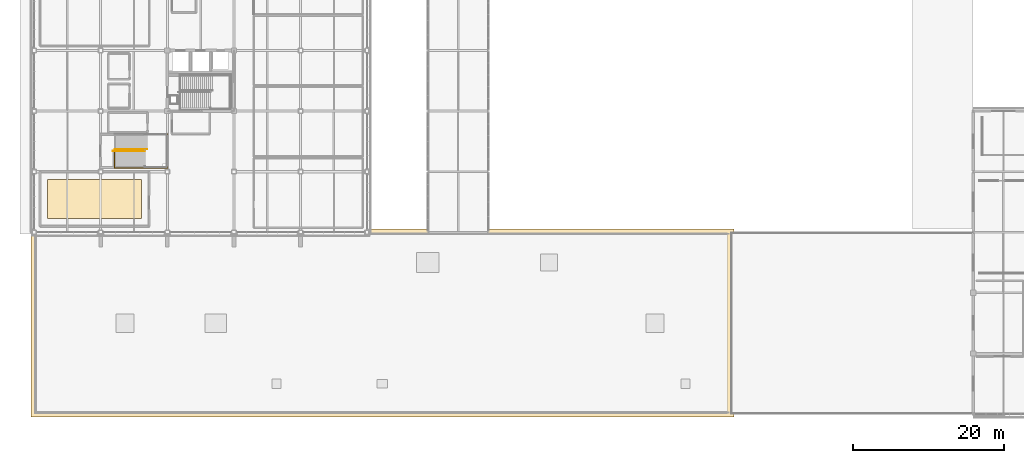
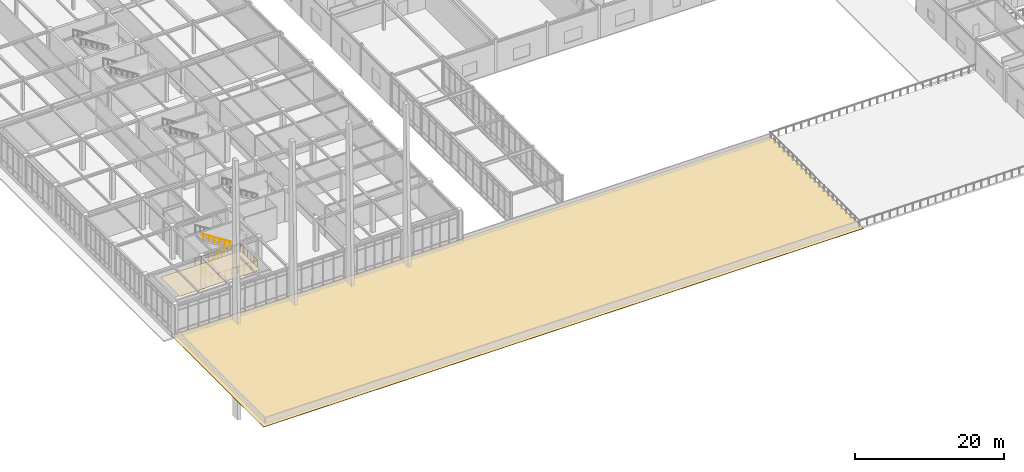
# One storey, part 97 of 108: 3 railings, 2 coverings.
"""IFC4 building model written with IfcOpenShell, lengths in metres."""

from ifc_helpers import new_model, si_unit, direction, frame, origin, origin_2d, place, context, subcontext, project, spatial, rectangle, circle, extrude, material, layer, layer_set, type_object, element, save


model = new_model("IFC4")

# Units and contexts
model_context = context("Model", 3, precision=1e-05, world=origin(), true_north=direction((0.0, 1.0)))
body_context = subcontext(model_context, "Body", "Model", "MODEL_VIEW")
ifc_project = project(units=[si_unit("LENGTHUNIT", "METRE"), si_unit("AREAUNIT", "SQUARE_METRE"), si_unit("VOLUMEUNIT", "CUBIC_METRE"), si_unit("PLANEANGLEUNIT", "RADIAN"), si_unit("MASSUNIT", "GRAM", prefix="KILO")], contexts=[model_context])

# Site, building, storey
site_placement = place(None, origin())
site = spatial("IfcSite", under=ifc_project, at=site_placement, CompositionType="ELEMENT")
building_placement = place(site_placement, origin())
building = spatial("IfcBuilding", under=site, at=building_placement, Name="Zhaolan Boulevard Law Courts", CompositionType="ELEMENT")
storey_placement = place(building_placement, frame((0.0, 0.0, 10.800048828125)))
storey = spatial("IfcBuildingStorey", under=building, at=storey_placement, Name="L02", CompositionType="ELEMENT", Elevation=10.800048828125)

# Covering
ifc_material_1 = material(Name="Perforated acoustic gypsum and timber-slat ceiling", Category="wood")
ifc_layer_1 = layer(ifc_material_1, 0.02490234375)
ifc_layer_set_1 = layer_set([ifc_layer_1])
covering_type_1 = type_object("IfcCoveringType", Name="ACOUSTIC CEILING 25", PredefinedType="CEILING", material=ifc_layer_set_1)
covering_1_placement = place(storey_placement, frame((8.0, 34.39990234375, 4.717529296875), z_axis=(0.0, 0.0, 1.0), x_axis=(1.0, 0.0, 0.0)))
element("IfcCovering", 1, at=covering_1_placement, inside=storey, type_object=covering_type_1, Name="Acoustic Baffle Ceiling CLG-08", PredefinedType="CEILING", context=body_context, shape_type="SweptSolid", body=[
    extrude(rectangle(XDim=12.39990234375, YDim=5.199951171875, at=origin_2d()), origin(), (0.0, 0.0, 1.0), 0.02490234375),
])

# Railings
ifc_material_2 = material(Name="Brushed stainless steel tubular handrail", Category="steel")
railing_type_1 = type_object("IfcRailingType", Name="STAIR HANDRAIL 900", PredefinedType="HANDRAIL", material=ifc_material_2)
railing_1_placement = place(storey_placement, frame((10.39990234375, 40.75, 0.0)))
element("IfcRailing", 2, at=railing_1_placement, inside=storey, type_object=railing_type_1, Name="Stair Handrail HR-ST03-L02-1", PredefinedType="HANDRAIL", context=body_context, shape_type="SweptSolid", body=[
    extrude(circle(Radius=0.0224609375, at=origin_2d()), frame((0.0, 0.0, 0.87744140625), z_axis=(0.843501457581, 0.0, 0.537126885437), x_axis=(0.0, 1.0, 0.0)), (0.0, 0.0, 1.0), 5.026611328125),
    extrude(circle(Radius=0.01904296875, at=origin_2d()), origin(), (0.0, 0.0, 1.0), 0.85498046875),
    extrude(circle(Radius=0.01904296875, at=origin_2d()), frame((0.847900390625, 0.0, 0.5400390625)), (0.0, 0.0, 1.0), 0.85498046875),
    extrude(circle(Radius=0.01904296875, at=origin_2d()), frame((1.696044921875, 0.0, 1.080078125)), (0.0, 0.0, 1.0), 0.85498046875),
    extrude(circle(Radius=0.01904296875, at=origin_2d()), frame((2.5439453125, 0.0, 1.619873046875)), (0.0, 0.0, 1.0), 0.85498046875),
    extrude(circle(Radius=0.01904296875, at=origin_2d()), frame((3.39208984375, 0.0, 2.159912109375)), (0.0, 0.0, 1.0), 0.85498046875),
    extrude(circle(Radius=0.01904296875, at=origin_2d()), frame((4.239990234375, 0.0, 2.699951171875)), (0.0, 0.0, 1.0), 0.85498046875),
])
railing_2_placement = place(storey_placement, frame((14.925048828125, 40.969970703125, 2.699951171875)))
element("IfcRailing", 3, at=railing_2_placement, inside=storey, type_object=railing_type_1, Name="Stair Handrail HR-ST03-L02-2", PredefinedType="HANDRAIL", context=body_context, shape_type="SweptSolid", body=[
    extrude(circle(Radius=0.0224609375, at=origin_2d()), frame((0.0, 0.0, 0.87744140625), z_axis=(-0.843501457581, 0.0, 0.537126885437), x_axis=(0.0, -1.0, 0.0)), (0.0, 0.0, 1.0), 5.026611328125),
    extrude(circle(Radius=0.01904296875, at=origin_2d()), origin(), (0.0, 0.0, 1.0), 0.85498046875),
    extrude(circle(Radius=0.01904296875, at=origin_2d()), frame((-0.847900390625, 0.0, 0.5400390625)), (0.0, 0.0, 1.0), 0.85498046875),
    extrude(circle(Radius=0.01904296875, at=origin_2d()), frame((-1.696044921875, 0.0, 1.080078125)), (0.0, 0.0, 1.0), 0.85498046875),
    extrude(circle(Radius=0.01904296875, at=origin_2d()), frame((-2.5439453125, 0.0, 1.619873046875)), (0.0, 0.0, 1.0), 0.85498046875),
    extrude(circle(Radius=0.01904296875, at=origin_2d()), frame((-3.39208984375, 0.0, 2.159912109375)), (0.0, 0.0, 1.0), 0.85498046875),
    extrude(circle(Radius=0.01904296875, at=origin_2d()), frame((-4.239990234375, 0.0, 2.699951171875)), (0.0, 0.0, 1.0), 0.85498046875),
])
ifc_material_3 = material(Name="Powder-coated steel baluster guardrail", Category="steel")
railing_type_2 = type_object("IfcRailingType", Name="STAIR WELL GUARDRAIL 1120", PredefinedType="GUARDRAIL", material=ifc_material_3)
railing_3_placement = place(storey_placement, frame((10.639892578125, 40.860107421875, 0.0)))
element("IfcRailing", 4, at=railing_3_placement, inside=storey, type_object=railing_type_2, Name="Stair-Well Floor Guardrail WG-ST03-L01", PredefinedType="GUARDRAIL", context=body_context, shape_type="SweptSolid", body=[
    extrude(circle(Radius=0.02392578125, at=origin_2d()), frame((0.0, 0.0, 1.09619140625), z_axis=(0.0, -1.0, 0.0), x_axis=(1.0, 0.0, 0.0)), (0.0, 0.0, 1.0), 2.360107421875),
    extrude(circle(Radius=0.02392578125, at=origin_2d()), frame((0.0, -2.360107421875, 1.09619140625), z_axis=(1.0, 0.0, 0.0), x_axis=(0.0, 1.0, 0.0)), (0.0, 0.0, 1.0), 7.010009765625),
    extrude(circle(Radius=0.02392578125, at=origin_2d()), frame((7.010009765625, -2.360107421875, 1.09619140625), z_axis=(0.0, 1.0, 0.0), x_axis=(-1.0, 0.0, 0.0)), (0.0, 0.0, 1.0), 4.5),
    extrude(circle(Radius=0.02392578125, at=origin_2d()), frame((7.010009765625, 2.139892578125, 1.09619140625), z_axis=(-1.0, 0.0, 0.0), x_axis=(0.0, -1.0, 0.0)), (0.0, 0.0, 1.0), 7.010009765625),
    extrude(circle(Radius=0.02392578125, at=origin_2d()), frame((0.0, 2.139892578125, 1.09619140625), z_axis=(0.0, 1.0, 0.0), x_axis=(-1.0, 0.0, 0.0)), (0.0, 0.0, 1.0), 0.1201171875),
    extrude(circle(Radius=0.02099609375, at=origin_2d()), origin(), (0.0, 0.0, 1.0), 1.072021484375),
    extrude(circle(Radius=0.02099609375, at=origin_2d()), frame((0.0, -0.78662109375, 0.0)), (0.0, 0.0, 1.0), 1.072021484375),
    extrude(circle(Radius=0.02099609375, at=origin_2d()), frame((0.0, -1.573486328125, 0.0)), (0.0, 0.0, 1.0), 1.072021484375),
    extrude(circle(Radius=0.02099609375, at=origin_2d()), frame((0.0, -2.360107421875, 0.0)), (0.0, 0.0, 1.0), 1.072021484375),
    extrude(circle(Radius=0.02099609375, at=origin_2d()), frame((1.00146484375, -2.360107421875, 0.0)), (0.0, 0.0, 1.0), 1.072021484375),
    extrude(circle(Radius=0.02099609375, at=origin_2d()), frame((2.0029296875, -2.360107421875, 0.0)), (0.0, 0.0, 1.0), 1.072021484375),
    extrude(circle(Radius=0.02099609375, at=origin_2d()), frame((3.00439453125, -2.360107421875, 0.0)), (0.0, 0.0, 1.0), 1.072021484375),
    extrude(circle(Radius=0.02099609375, at=origin_2d()), frame((4.005615234375, -2.360107421875, 0.0)), (0.0, 0.0, 1.0), 1.072021484375),
    extrude(circle(Radius=0.02099609375, at=origin_2d()), frame((5.007080078125, -2.360107421875, 0.0)), (0.0, 0.0, 1.0), 1.072021484375),
    extrude(circle(Radius=0.02099609375, at=origin_2d()), frame((6.008544921875, -2.360107421875, 0.0)), (0.0, 0.0, 1.0), 1.072021484375),
    extrude(circle(Radius=0.02099609375, at=origin_2d()), frame((7.010009765625, -2.360107421875, 0.0)), (0.0, 0.0, 1.0), 1.072021484375),
    extrude(circle(Radius=0.02099609375, at=origin_2d()), frame((7.010009765625, -1.460205078125, 0.0)), (0.0, 0.0, 1.0), 1.072021484375),
    extrude(circle(Radius=0.02099609375, at=origin_2d()), frame((7.010009765625, -0.56005859375, 0.0)), (0.0, 0.0, 1.0), 1.072021484375),
    extrude(circle(Radius=0.02099609375, at=origin_2d()), frame((7.010009765625, 0.33984375, 0.0)), (0.0, 0.0, 1.0), 1.072021484375),
    extrude(circle(Radius=0.02099609375, at=origin_2d()), frame((7.010009765625, 1.239990234375, 0.0)), (0.0, 0.0, 1.0), 1.072021484375),
    extrude(circle(Radius=0.02099609375, at=origin_2d()), frame((7.010009765625, 2.139892578125, 0.0)), (0.0, 0.0, 1.0), 1.072021484375),
    extrude(circle(Radius=0.02099609375, at=origin_2d()), frame((6.008544921875, 2.139892578125, 0.0)), (0.0, 0.0, 1.0), 1.072021484375),
    extrude(circle(Radius=0.02099609375, at=origin_2d()), frame((5.007080078125, 2.139892578125, 0.0)), (0.0, 0.0, 1.0), 1.072021484375),
    extrude(circle(Radius=0.02099609375, at=origin_2d()), frame((4.005615234375, 2.139892578125, 0.0)), (0.0, 0.0, 1.0), 1.072021484375),
    extrude(circle(Radius=0.02099609375, at=origin_2d()), frame((3.00439453125, 2.139892578125, 0.0)), (0.0, 0.0, 1.0), 1.072021484375),
    extrude(circle(Radius=0.02099609375, at=origin_2d()), frame((2.0029296875, 2.139892578125, 0.0)), (0.0, 0.0, 1.0), 1.072021484375),
    extrude(circle(Radius=0.02099609375, at=origin_2d()), frame((1.00146484375, 2.139892578125, 0.0)), (0.0, 0.0, 1.0), 1.072021484375),
    extrude(circle(Radius=0.02099609375, at=origin_2d()), frame((0.0, 2.139892578125, 0.0)), (0.0, 0.0, 1.0), 1.072021484375),
    extrude(circle(Radius=0.02099609375, at=origin_2d()), frame((0.0, 2.260009765625, 0.0)), (0.0, 0.0, 1.0), 1.072021484375),
])

# Covering
ifc_material_4 = material(Name="Pale mist-grey standing-seam Al-Mg-Mn zinc-titanium")
ifc_layer_2 = layer(ifc_material_4, 0.06494140625)
ifc_layer_set_2 = layer_set([ifc_layer_2])
covering_type_2 = type_object("IfcCoveringType", Name="STANDING SEAM ROOFING 65", PredefinedType="ROOFING", material=ifc_layer_set_2)
covering_2_placement = place(storey_placement, frame((46.0, 18.0, 0.0), z_axis=(0.0, 0.0, 1.0), x_axis=(1.0, 0.0, 0.0)))
element("IfcCovering", 5, at=covering_2_placement, inside=storey, type_object=covering_type_2, Name="Standing-Seam Metal Roof Covering RCV-01", PredefinedType="ROOFING", context=body_context, shape_type="SweptSolid", body=[
    extrude(rectangle(XDim=92.800048828125, YDim=24.800048828125, at=origin_2d()), origin(), (0.0, 0.0, 1.0), 0.06494140625),
])

save(model, "model.ifc")
